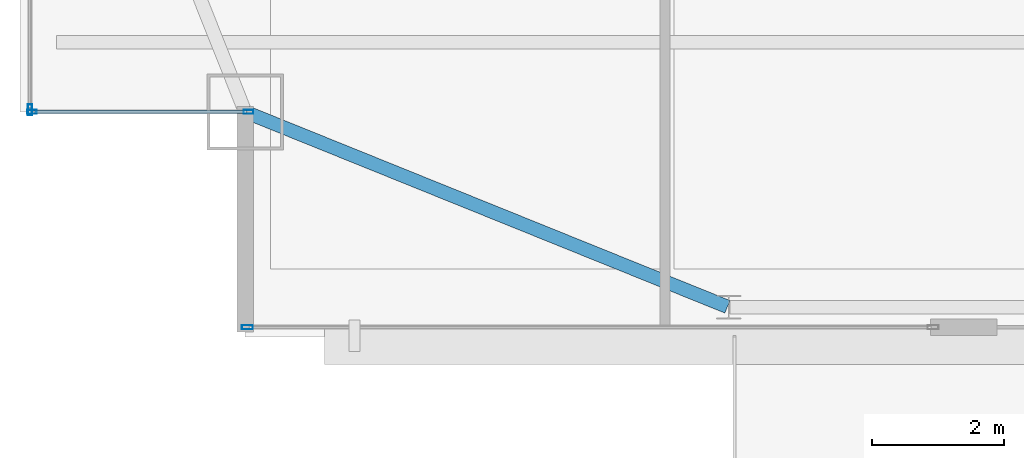
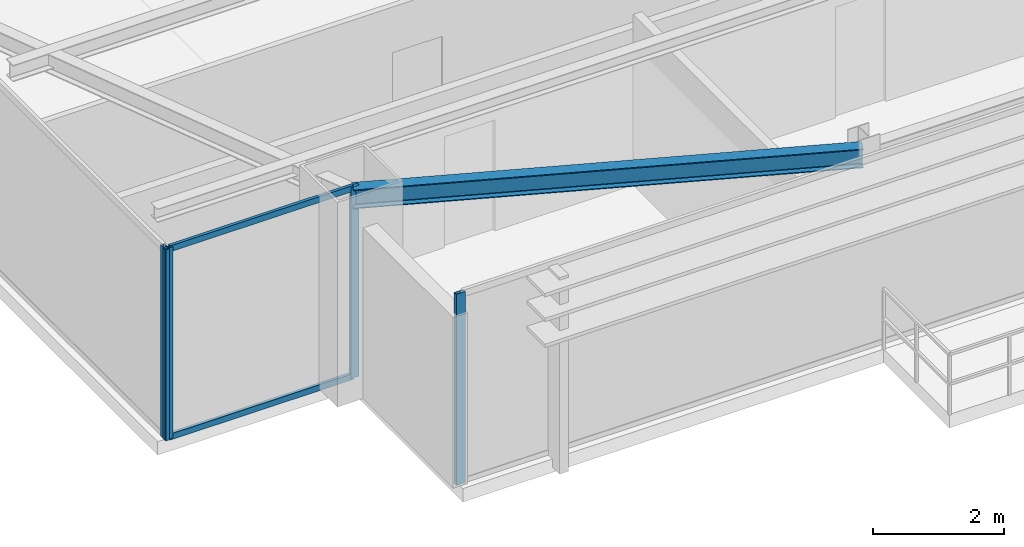
# One storey, part 4 of 30: 6 members, 1 beam, 3 elements without a shape of their own.
"""IFC4 building model written with IfcOpenShell, lengths in metres."""

from ifc_helpers import new_model, si_unit, direction, frame, origin, origin_2d, place, context, subcontext, project, spatial, hollow_rectangle, i_section, extrude, source, transform, mapped, material, layer, layer_set, material_profile, profile_set, type_object, type_shapes, element, aggregate, save


model = new_model("IFC4")

# Units and contexts
model_context = context("Model", 3, precision=1e-05, world=origin(), true_north=direction((0.0, 1.0)))
body_context = subcontext(model_context, "Body", "Model", "MODEL_VIEW")
ifc_project = project(units=[si_unit("LENGTHUNIT", "METRE"), si_unit("AREAUNIT", "SQUARE_METRE"), si_unit("VOLUMEUNIT", "CUBIC_METRE"), si_unit("PLANEANGLEUNIT", "RADIAN"), si_unit("MASSUNIT", "GRAM", prefix="KILO")], contexts=[model_context])

# Site, building, storey
site_placement = place(None, origin())
site = spatial("IfcSite", under=ifc_project, at=site_placement, CompositionType="ELEMENT")
building_placement = place(site_placement, origin())
building = spatial("IfcBuilding", under=site, at=building_placement, Name="Varnel Quay Broadcast Tower", CompositionType="ELEMENT")
storey_placement = place(building_placement, frame((0.0, 0.0, 222.60009765625)))
storey = spatial("IfcBuildingStorey", under=building, at=storey_placement, Name="L55", CompositionType="ELEMENT", Elevation=222.60009765625)

# Beam
ifc_material_1 = material(Name="Structural Steel CSA G40.21 350W", Category="steel")
ifc_material_profile_1 = material_profile(ifc_material_1, i_section(OverallWidth=0.205078125, OverallDepth=0.35400390625, WebThickness=0.009521484375, FlangeThickness=0.016845703125, FilletRadius=0.012939453125, at=origin_2d()), Name="W360X79")
ifc_profile_set_1 = profile_set([ifc_material_profile_1], Name="Structural Steel CSA G40.21 350W")
beam_type = type_object("IfcBeamType", Name="Beam_W360X79", PredefinedType="SPANDREL", material=ifc_profile_set_1)
shared_shape_1 = source(origin(), body_context, "Body", "SweptSolid", [
    extrude(i_section(OverallWidth=0.205078125, OverallDepth=0.35400390625, WebThickness=0.009521484375, FlangeThickness=0.016845703125, FilletRadius=0.012939453125, at=origin_2d()), origin(), (0.0, 0.0, 1.0), 7.83349609375),
])
type_shapes(beam_type, [shared_shape_1])
beam_placement = place(storey_placement, frame((12.91845703125, 13.592529296875, 3.372802734375), z_axis=(0.927155449606, -0.374676890489, 0.0), x_axis=(0.374676890489, 0.927155449606, 0.0)))
element("IfcBeam", 1, at=beam_placement, inside=storey, type_object=beam_type, Name="L55 South Spandrel MC-SW-TC-S1", PredefinedType="SPANDREL", context=body_context, shape_type="MappedRepresentation", body=[
    mapped(shared_shape_1, transform((0.0, 0.0, 0.0), x_axis=(1.0, 0.0, 0.0), y_axis=(0.0, 1.0, 0.0), z_axis=(0.0, 0.0, 1.0), scale=1.0)),
])

# Curtain wall, members
ifc_material_2 = material(Name="Anodised Bronze Aluminium 6063-T6", Category="aluminium")
ifc_layer_1 = layer(ifc_material_2, 0.18994140625, Name="Anodised Bronze Aluminium 6063-T6")
ifc_layer_set_1 = layer_set([ifc_layer_1], Name="Anodised Bronze Aluminium 6063-T6")
curtain_wall_type_1 = type_object("IfcCurtainWallType", Name="CW_NotchCorner", PredefinedType="NOTDEFINED", material=ifc_layer_set_1)
curtain_wall_1_placement = place(storey_placement, origin())
curtain_wall_1 = element("IfcCurtainWall", 2, at=curtain_wall_1_placement, inside=storey, type_object=curtain_wall_type_1, Name="L55 SW Notch Curtain Wall", PredefinedType="NOTDEFINED")
ifc_material_profile_2 = material_profile(ifc_material_2, hollow_rectangle(XDim=0.06005859375, YDim=0.14501953125, WallThickness=0.00341796875, at=origin_2d()), Name="ALU60X145X3.5")
ifc_profile_set_2 = profile_set([ifc_material_profile_2], Name="Anodised Bronze Aluminium 6063-T6")
member_type_1 = type_object("IfcMemberType", Name="Mull_CWS-04", PredefinedType="MULLION", material=ifc_profile_set_2)
shared_shape_2 = source(origin(), body_context, "Body", "SweptSolid", [
    extrude(hollow_rectangle(XDim=0.06005859375, YDim=0.14501953125, WallThickness=0.00341796875, at=origin_2d()), origin(), (0.0, 0.0, 1.0), 3.5498046875),
])
type_shapes(member_type_1, [shared_shape_2])
member_1_placement = place(storey_placement, frame((9.679931640625, 13.60009765625, 0.0), z_axis=(0.0, 0.0, 1.0), x_axis=(0.0, 1.0, 0.0)))
member_1 = element("IfcMember", 3, at=member_1_placement, type_object=member_type_1, Name="CWS-04 mullion 1", PredefinedType="MULLION", context=body_context, shape_type="MappedRepresentation", body=[
    mapped(shared_shape_2, transform((0.0, 0.0, 0.0), x_axis=(1.0, 0.0, 0.0), y_axis=(0.0, 1.0, 0.0), z_axis=(0.0, 0.0, 1.0), scale=1.0)),
])
member_2_placement = place(storey_placement, frame((12.949951171875, 13.60009765625, 0.0), z_axis=(0.0, 0.0, 1.0), x_axis=(0.0, 1.0, 0.0)))
member_2 = element("IfcMember", 4, at=member_2_placement, type_object=member_type_1, Name="CWS-04 mullion 2", PredefinedType="MULLION", context=body_context, shape_type="MappedRepresentation", body=[
    mapped(shared_shape_2, transform((0.0, 0.0, 0.0), x_axis=(1.0, 0.0, 0.0), y_axis=(0.0, 1.0, 0.0), z_axis=(0.0, 0.0, 1.0), scale=1.0)),
])

# Curtain wall, member
ifc_layer_2 = layer(ifc_material_2, 0.18994140625, Name="Anodised Bronze Aluminium 6063-T6")
ifc_layer_set_2 = layer_set([ifc_layer_2], Name="Anodised Bronze Aluminium 6063-T6")
curtain_wall_type_2 = type_object("IfcCurtainWallType", Name="CW_UpperTower", PredefinedType="NOTDEFINED", material=ifc_layer_set_2)
curtain_wall_2_placement = place(storey_placement, origin())
curtain_wall_2 = element("IfcCurtainWall", 5, at=curtain_wall_2_placement, inside=storey, type_object=curtain_wall_type_2, Name="L55 South Unitised Curtain Wall 1", PredefinedType="NOTDEFINED")
ifc_material_profile_3 = material_profile(ifc_material_2, hollow_rectangle(XDim=0.06494140625, YDim=0.1650390625, WallThickness=0.00341796875, at=origin_2d()), Name="ALU65X165X3.5")
ifc_profile_set_3 = profile_set([ifc_material_profile_3], Name="Anodised Bronze Aluminium 6063-T6")
member_type_2 = type_object("IfcMemberType", Name="Mull_CWS-03", PredefinedType="MULLION", material=ifc_profile_set_3)
shared_shape_3 = source(origin(), body_context, "Body", "SweptSolid", [
    extrude(hollow_rectangle(XDim=0.06494140625, YDim=0.1650390625, WallThickness=0.00341796875, at=origin_2d()), origin(), (0.0, 0.0, 1.0), 3.5498046875),
])
type_shapes(member_type_2, [shared_shape_3])
member_3_placement = place(storey_placement, frame((12.9326171875, 10.35009765625, 0.0), z_axis=(0.0, 0.0, 1.0), x_axis=(0.0, 1.0, 0.0)))
member_3 = element("IfcMember", 6, at=member_3_placement, type_object=member_type_2, Name="CWS-03 mullion 1", PredefinedType="MULLION", context=body_context, shape_type="MappedRepresentation", body=[
    mapped(shared_shape_3, transform((0.0, 0.0, 0.0), x_axis=(1.0, 0.0, 0.0), y_axis=(0.0, 1.0, 0.0), z_axis=(0.0, 0.0, 1.0), scale=1.0)),
])
aggregate(curtain_wall_2, [member_3])

curtain_wall_3_placement = place(storey_placement, origin())
curtain_wall_3 = element("IfcCurtainWall", 7, at=curtain_wall_3_placement, inside=storey, type_object=curtain_wall_type_2, Name="L55 West Unitised Curtain Wall", PredefinedType="NOTDEFINED")
member_4_placement = place(storey_placement, frame((9.64990234375, 13.632568359375, 0.0), z_axis=(0.0, 0.0, 1.0), x_axis=(-1.0, 0.0, 0.0)))
member_4 = element("IfcMember", 8, at=member_4_placement, type_object=member_type_2, Name="CWS-03 mullion 1", PredefinedType="MULLION", context=body_context, shape_type="MappedRepresentation", body=[
    mapped(shared_shape_3, transform((0.0, 0.0, 0.0), x_axis=(1.0, 0.0, 0.0), y_axis=(0.0, 1.0, 0.0), z_axis=(0.0, 0.0, 1.0), scale=1.0)),
])
aggregate(curtain_wall_3, [member_4])

# Member
ifc_material_profile_4 = material_profile(ifc_material_2, hollow_rectangle(XDim=0.054931640625, YDim=0.110107421875, WallThickness=0.0029296875, at=origin_2d()), Name="ALU55X110X3")
ifc_profile_set_4 = profile_set([ifc_material_profile_4], Name="Anodised Bronze Aluminium 6063-T6")
member_type_3 = type_object("IfcMemberType", Name="Tran_CWS-04", PredefinedType="USERDEFINED", material=ifc_profile_set_4)
shared_shape_4 = source(origin(), body_context, "Body", "SweptSolid", [
    extrude(hollow_rectangle(XDim=0.054931640625, YDim=0.110107421875, WallThickness=0.0029296875, at=origin_2d()), origin(), (0.0, 0.0, 1.0), 3.2099609375),
])
type_shapes(member_type_3, [shared_shape_4])
member_5_placement = place(storey_placement, frame((9.7099609375, 13.60009765625, 0.02734375), z_axis=(1.0, 0.0, 0.0), x_axis=(0.0, 1.0, 0.0)))
member_5 = element("IfcMember", 9, at=member_5_placement, type_object=member_type_3, Name="CWS-04 transom 1.1", ObjectType="TRANSOM", PredefinedType="USERDEFINED", context=body_context, shape_type="MappedRepresentation", body=[
    mapped(shared_shape_4, transform((0.0, 0.0, 0.0), x_axis=(1.0, 0.0, 0.0), y_axis=(0.0, 1.0, 0.0), z_axis=(0.0, 0.0, 1.0), scale=1.0)),
])

member_6_placement = place(storey_placement, frame((9.7099609375, 13.60009765625, 3.5224609375), z_axis=(1.0, 0.0, 0.0), x_axis=(0.0, 1.0, 0.0)))
member_6 = element("IfcMember", 10, at=member_6_placement, type_object=member_type_3, Name="CWS-04 transom 1.2", ObjectType="TRANSOM", PredefinedType="USERDEFINED", context=body_context, shape_type="MappedRepresentation", body=[
    mapped(shared_shape_4, transform((0.0, 0.0, 0.0), x_axis=(1.0, 0.0, 0.0), y_axis=(0.0, 1.0, 0.0), z_axis=(0.0, 0.0, 1.0), scale=1.0)),
])

aggregate(curtain_wall_1, [member_1, member_2, member_5, member_6])

save(model, "model.ifc")
